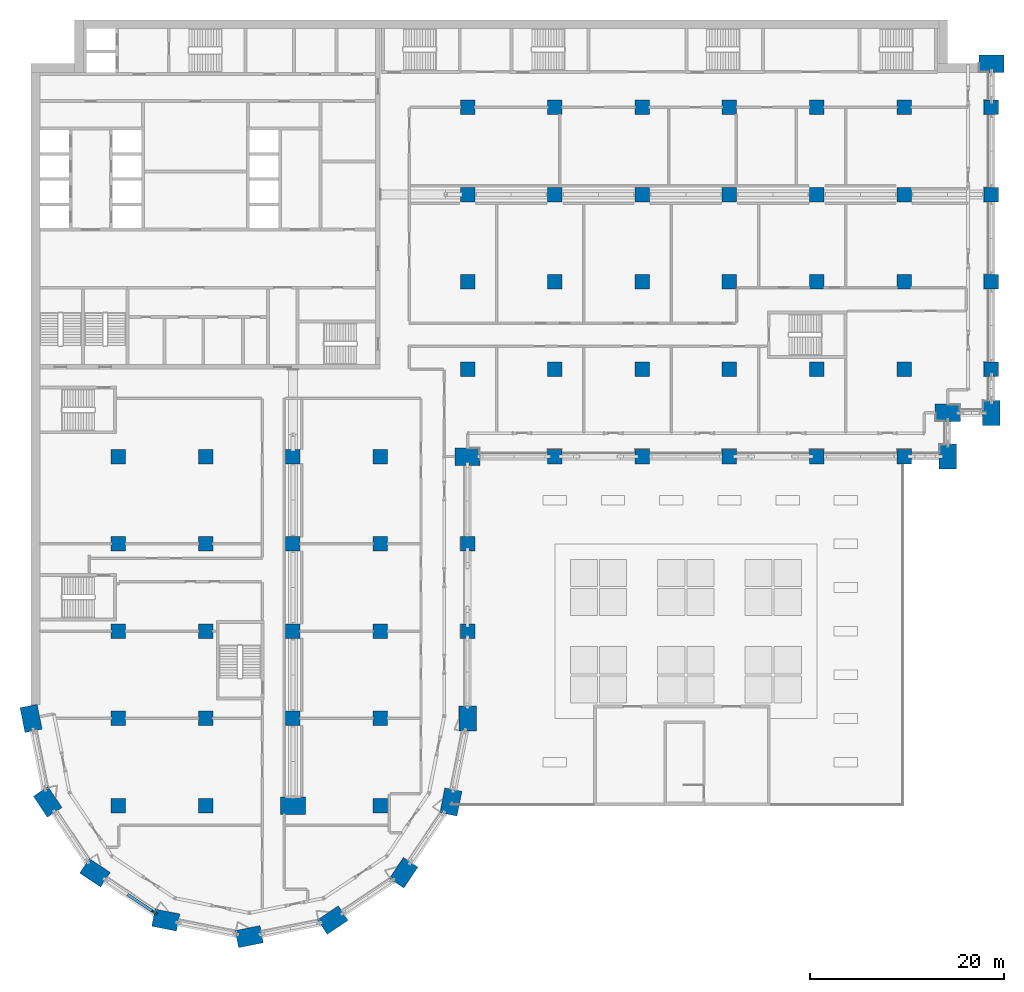
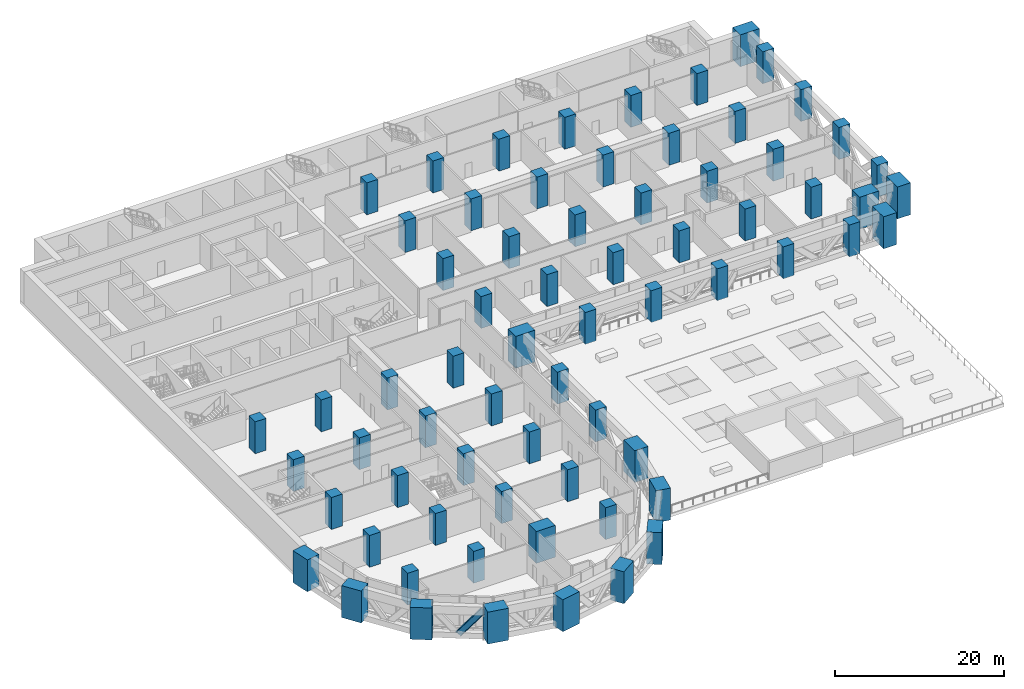
# One storey, part 1 of 31: 69 columns, 1 member.
"""IFC4 building model written with IfcOpenShell, lengths in metres."""

from ifc_helpers import new_model, si_unit, direction, frame, origin, origin_2d, place, context, subcontext, project, spatial, rectangle, i_section, extrude, material, material_profile, profile_set, type_object, element, save


model = new_model("IFC4")

# Units and contexts
model_context = context("Model", 3, precision=1e-05, world=origin(), true_north=direction((0.0, 1.0)))
body_context = subcontext(model_context, "Body", "Model", "MODEL_VIEW")
ifc_project = project(units=[si_unit("LENGTHUNIT", "METRE"), si_unit("AREAUNIT", "SQUARE_METRE"), si_unit("VOLUMEUNIT", "CUBIC_METRE"), si_unit("PLANEANGLEUNIT", "RADIAN"), si_unit("MASSUNIT", "GRAM", prefix="KILO")], contexts=[model_context])

# Site, building, storey
site_placement = place(None, origin())
site = spatial("IfcSite", under=ifc_project, at=site_placement, CompositionType="ELEMENT")
building_placement = place(site_placement, origin())
building = spatial("IfcBuilding", under=site, at=building_placement, Name="Hunhe Ridgeline Campus", CompositionType="ELEMENT")
storey_placement = place(building_placement, frame((0.0, 0.0, 31.199951171875)))
storey = spatial("IfcBuildingStorey", under=building, at=storey_placement, Name="L06", CompositionType="ELEMENT", Elevation=31.199951171875)

# Columns
ifc_material_1 = material(Name="Concrete C80", Category="concrete")
ifc_material_profile_1 = material_profile(ifc_material_1, rectangle(XDim=2.60009765625, YDim=1.800048828125, at=origin_2d()))
ifc_profile_set_1 = profile_set([ifc_material_profile_1], Name="Concrete C80")
column_type_1 = type_object("IfcColumnType", Name="Megacolumn 2600x1800 Concrete C80", PredefinedType="COLUMN", material=ifc_profile_set_1)
for number, where, z_axis, x_axis, name in (
    (1, (22.5, 4.5, 0.0), (0.0, 0.0, 1.0), (0.980785280403, 0.195090322016, 0.0), "Column C1 R1 L06"),
    (2, (13.8896484375, 6.212646484375, 0.0), (0.0, 0.0, 1.0), (-0.980785280403, 0.195090322016, 0.0), "Column C1 R2 L06"),
    (3, (31.1103515625, 6.212646484375, 0.0), (0.0, 0.0, 1.0), (0.831469612303, 0.55557023302, 0.0), "Column C1 R3 L06"),
    (4, (6.590087890625, 11.090087890625, 0.0), (0.0, 0.0, 1.0), (-0.831469612303, 0.55557023302, 0.0), "Column C1 R4 L06"),
    (5, (38.409912109375, 11.090087890625, 0.0), (0.0, 0.0, 1.0), (0.55557023302, 0.831469612303, 0.0), "Column C1 R5 L06"),
    (6, (1.712646484375, 18.3896484375, 0.0), (0.0, 0.0, 1.0), (-0.55557023302, 0.831469612303, 0.0), "Column C1 R9 L06"),
    (7, (43.287353515625, 18.3896484375, 0.0), (0.0, 0.0, 1.0), (0.195090322016, 0.980785280403, 0.0), "Column C1 R10 L06"),
    (8, (0.0, 27.0, 0.0), (0.0, 0.0, 1.0), (-0.195090322016, 0.980785280403, 0.0), "Column C1 D1 L06"),
    (9, (45.0, 27.0, 0.0), (0.0, 0.0, 1.0), (0.0, 1.0, 0.0), "Column C1 D6 L06"),
    (10, (45.0, 54.0, 0.0), (0.0, 0.0, 1.0), (1.0, 0.0, 0.0), "Column C1 G6 L06"),
    (11, (94.5, 54.0, 0.0), (0.0, 0.0, 1.0), (0.0, 1.0, 0.0), "Column C1 R32 L06"),
    (12, (94.5, 58.5, 0.0), (0.0, 0.0, 1.0), (1.0, 0.0, 0.0), "Column C1 R39 L06"),
    (13, (99.0, 58.5, 0.0), (0.0, 0.0, 1.0), (0.0, 1.0, 0.0), "Column C1 R40 L06"),
    (14, (99.0, 94.5, 0.0), (0.0, 0.0, 1.0), (1.0, 0.0, 0.0), "Column C1 R44 L06"),
    (15, (27.0, 18.0, 0.0), (0.0, 0.0, 1.0), (1.0, 0.0, 0.0), "Column C1 C4 L06"),
):
    element("IfcColumn", number, at=place(storey_placement, frame(where, z_axis=z_axis, x_axis=x_axis)), inside=storey, type_object=column_type_1, Name=name, PredefinedType="COLUMN", context=body_context, shape_type="SweptSolid", body=[
        extrude(rectangle(XDim=2.60009765625, YDim=1.800048828125, at=origin_2d()), origin(), (0.0, 0.0, 1.0), 4.60009765625),
    ])
ifc_material_profile_2 = material_profile(ifc_material_1, rectangle(XDim=1.5, YDim=1.5, at=origin_2d()))
ifc_profile_set_2 = profile_set([ifc_material_profile_2], Name="Concrete C80")
column_type_2 = type_object("IfcColumnType", Name="RC column 1500x1500 Concrete C80", PredefinedType="COLUMN", material=ifc_profile_set_2)
for number, where, z_axis, x_axis, name in (
    (16, (45.0, 36.0, 0.0), (0.0, 0.0, 1.0), (1.0, 0.0, 0.0), "Column C2 E6 L06"),
    (17, (45.0, 45.0, 0.0), (0.0, 0.0, 1.0), (1.0, 0.0, 0.0), "Column C2 F6 L06"),
    (18, (54.0, 54.0, 0.0), (0.0, 0.0, 1.0), (1.0, 0.0, 0.0), "Column C2 G7 L06"),
    (19, (63.0, 54.0, 0.0), (0.0, 0.0, 1.0), (1.0, 0.0, 0.0), "Column C2 G8 L06"),
    (20, (72.0, 54.0, 0.0), (0.0, 0.0, 1.0), (1.0, 0.0, 0.0), "Column C2 G9 L06"),
    (21, (81.0, 54.0, 0.0), (0.0, 0.0, 1.0), (1.0, 0.0, 0.0), "Column C2 G10 L06"),
    (22, (90.0, 54.0, 0.0), (0.0, 0.0, 1.0), (1.0, 0.0, 0.0), "Column C2 G11 L06"),
    (23, (99.0, 63.0, 0.0), (0.0, 0.0, 1.0), (1.0, 0.0, 0.0), "Column C2 H12 L06"),
    (24, (99.0, 72.0, 0.0), (0.0, 0.0, 1.0), (1.0, 0.0, 0.0), "Column C2 I12 L06"),
    (25, (99.0, 81.0, 0.0), (0.0, 0.0, 1.0), (1.0, 0.0, 0.0), "Column C2 J12 L06"),
    (26, (99.0, 90.0, 0.0), (0.0, 0.0, 1.0), (1.0, 0.0, 0.0), "Column C2 K12 L06"),
    (27, (9.0, 18.0, 0.0), (0.0, 0.0, 1.0), (1.0, 0.0, 0.0), "Column C2 C2 L06"),
    (28, (9.0, 27.0, 0.0), (0.0, 0.0, 1.0), (1.0, 0.0, 0.0), "Column C2 D2 L06"),
    (29, (9.0, 36.0, 0.0), (0.0, 0.0, 1.0), (1.0, 0.0, 0.0), "Column C2 E2 L06"),
    (30, (9.0, 45.0, 0.0), (0.0, 0.0, 1.0), (1.0, 0.0, 0.0), "Column C2 F2 L06"),
    (31, (9.0, 54.0, 0.0), (0.0, 0.0, 1.0), (1.0, 0.0, 0.0), "Column C2 G2 L06"),
    (32, (18.0, 18.0, 0.0), (0.0, 0.0, 1.0), (1.0, 0.0, 0.0), "Column C2 C3 L06"),
    (33, (18.0, 27.0, 0.0), (0.0, 0.0, 1.0), (1.0, 0.0, 0.0), "Column C2 D3 L06"),
    (34, (18.0, 36.0, 0.0), (0.0, 0.0, 1.0), (1.0, 0.0, 0.0), "Column C2 E3 L06"),
    (35, (18.0, 45.0, 0.0), (0.0, 0.0, 1.0), (1.0, 0.0, 0.0), "Column C2 F3 L06"),
    (36, (18.0, 54.0, 0.0), (0.0, 0.0, 1.0), (1.0, 0.0, 0.0), "Column C2 G3 L06"),
    (37, (27.0, 27.0, 0.0), (0.0, 0.0, 1.0), (1.0, 0.0, 0.0), "Column C2 D4 L06"),
    (38, (27.0, 36.0, 0.0), (0.0, 0.0, 1.0), (1.0, 0.0, 0.0), "Column C2 E4 L06"),
    (39, (27.0, 45.0, 0.0), (0.0, 0.0, 1.0), (1.0, 0.0, 0.0), "Column C2 F4 L06"),
    (40, (27.0, 54.0, 0.0), (0.0, 0.0, 1.0), (1.0, 0.0, 0.0), "Column C2 G4 L06"),
    (41, (36.0, 18.0, 0.0), (0.0, 0.0, 1.0), (1.0, 0.0, 0.0), "Column C2 C5 L06"),
    (42, (36.0, 27.0, 0.0), (0.0, 0.0, 1.0), (1.0, 0.0, 0.0), "Column C2 D5 L06"),
    (43, (36.0, 36.0, 0.0), (0.0, 0.0, 1.0), (1.0, 0.0, 0.0), "Column C2 E5 L06"),
    (44, (36.0, 45.0, 0.0), (0.0, 0.0, 1.0), (1.0, 0.0, 0.0), "Column C2 F5 L06"),
    (45, (36.0, 54.0, 0.0), (0.0, 0.0, 1.0), (1.0, 0.0, 0.0), "Column C2 G5 L06"),
    (46, (45.0, 63.0, 0.0), (0.0, 0.0, 1.0), (1.0, 0.0, 0.0), "Column C2 H6 L06"),
    (47, (45.0, 72.0, 0.0), (0.0, 0.0, 1.0), (1.0, 0.0, 0.0), "Column C2 I6 L06"),
    (48, (45.0, 81.0, 0.0), (0.0, 0.0, 1.0), (1.0, 0.0, 0.0), "Column C2 J6 L06"),
    (49, (45.0, 90.0, 0.0), (0.0, 0.0, 1.0), (1.0, 0.0, 0.0), "Column C2 K6 L06"),
    (50, (54.0, 63.0, 0.0), (0.0, 0.0, 1.0), (1.0, 0.0, 0.0), "Column C2 H7 L06"),
    (51, (54.0, 72.0, 0.0), (0.0, 0.0, 1.0), (1.0, 0.0, 0.0), "Column C2 I7 L06"),
    (52, (54.0, 81.0, 0.0), (0.0, 0.0, 1.0), (1.0, 0.0, 0.0), "Column C2 J7 L06"),
    (53, (54.0, 90.0, 0.0), (0.0, 0.0, 1.0), (1.0, 0.0, 0.0), "Column C2 K7 L06"),
    (54, (63.0, 63.0, 0.0), (0.0, 0.0, 1.0), (1.0, 0.0, 0.0), "Column C2 H8 L06"),
    (55, (63.0, 72.0, 0.0), (0.0, 0.0, 1.0), (1.0, 0.0, 0.0), "Column C2 I8 L06"),
    (56, (63.0, 81.0, 0.0), (0.0, 0.0, 1.0), (1.0, 0.0, 0.0), "Column C2 J8 L06"),
    (57, (63.0, 90.0, 0.0), (0.0, 0.0, 1.0), (1.0, 0.0, 0.0), "Column C2 K8 L06"),
    (58, (72.0, 63.0, 0.0), (0.0, 0.0, 1.0), (1.0, 0.0, 0.0), "Column C2 H9 L06"),
    (59, (72.0, 72.0, 0.0), (0.0, 0.0, 1.0), (1.0, 0.0, 0.0), "Column C2 I9 L06"),
    (60, (72.0, 81.0, 0.0), (0.0, 0.0, 1.0), (1.0, 0.0, 0.0), "Column C2 J9 L06"),
    (61, (72.0, 90.0, 0.0), (0.0, 0.0, 1.0), (1.0, 0.0, 0.0), "Column C2 K9 L06"),
    (62, (81.0, 63.0, 0.0), (0.0, 0.0, 1.0), (1.0, 0.0, 0.0), "Column C2 H10 L06"),
    (63, (81.0, 72.0, 0.0), (0.0, 0.0, 1.0), (1.0, 0.0, 0.0), "Column C2 I10 L06"),
    (64, (81.0, 81.0, 0.0), (0.0, 0.0, 1.0), (1.0, 0.0, 0.0), "Column C2 J10 L06"),
    (65, (81.0, 90.0, 0.0), (0.0, 0.0, 1.0), (1.0, 0.0, 0.0), "Column C2 K10 L06"),
    (66, (90.0, 63.0, 0.0), (0.0, 0.0, 1.0), (1.0, 0.0, 0.0), "Column C2 H11 L06"),
    (67, (90.0, 72.0, 0.0), (0.0, 0.0, 1.0), (1.0, 0.0, 0.0), "Column C2 I11 L06"),
    (68, (90.0, 81.0, 0.0), (0.0, 0.0, 1.0), (1.0, 0.0, 0.0), "Column C2 J11 L06"),
    (69, (90.0, 90.0, 0.0), (0.0, 0.0, 1.0), (1.0, 0.0, 0.0), "Column C2 K11 L06"),
):
    element("IfcColumn", number, at=place(storey_placement, frame(where, z_axis=z_axis, x_axis=x_axis)), inside=storey, type_object=column_type_2, Name=name, PredefinedType="COLUMN", context=body_context, shape_type="SweptSolid", body=[
        extrude(rectangle(XDim=1.5, YDim=1.5, at=origin_2d()), origin(), (0.0, 0.0, 1.0), 4.60009765625),
    ])

# Member
ifc_material_2 = material(Name="Steel Q420", Category="steel")
ifc_material_profile_3 = material_profile(ifc_material_2, i_section(OverallWidth=0.300048828125, OverallDepth=0.800048828125, WebThickness=0.013916015625, FlangeThickness=0.02587890625, FilletRadius=0.01806640625, at=origin_2d()))
ifc_profile_set_3 = profile_set([ifc_material_profile_3], Name="Steel Q420")
member_type = type_object("IfcMemberType", Name="Belt truss diagonal HN800x300x14x26 Steel Q420", PredefinedType="BRACE", material=ifc_profile_set_3)
member_placement = place(storey_placement, frame((10.1953125, 8.68115234375, 0.400146484375), z_axis=(0.536057262983, -0.35818371663, 0.764425951904), x_axis=(0.555572061125, 0.831468390799, 0.0)))
element("IfcMember", 70, at=member_placement, inside=storey, type_object=member_type, Name="Belt truss BT1 diagonal L06 12", PredefinedType="BRACE", context=body_context, shape_type="SweptSolid", body=[
    extrude(i_section(OverallWidth=0.300048828125, OverallDepth=0.800048828125, WebThickness=0.013916015625, FlangeThickness=0.02587890625, FilletRadius=0.01806640625, at=origin_2d()), origin(), (0.0, 0.0, 1.0), 4.709228515625),
])

save(model, "model.ifc")
